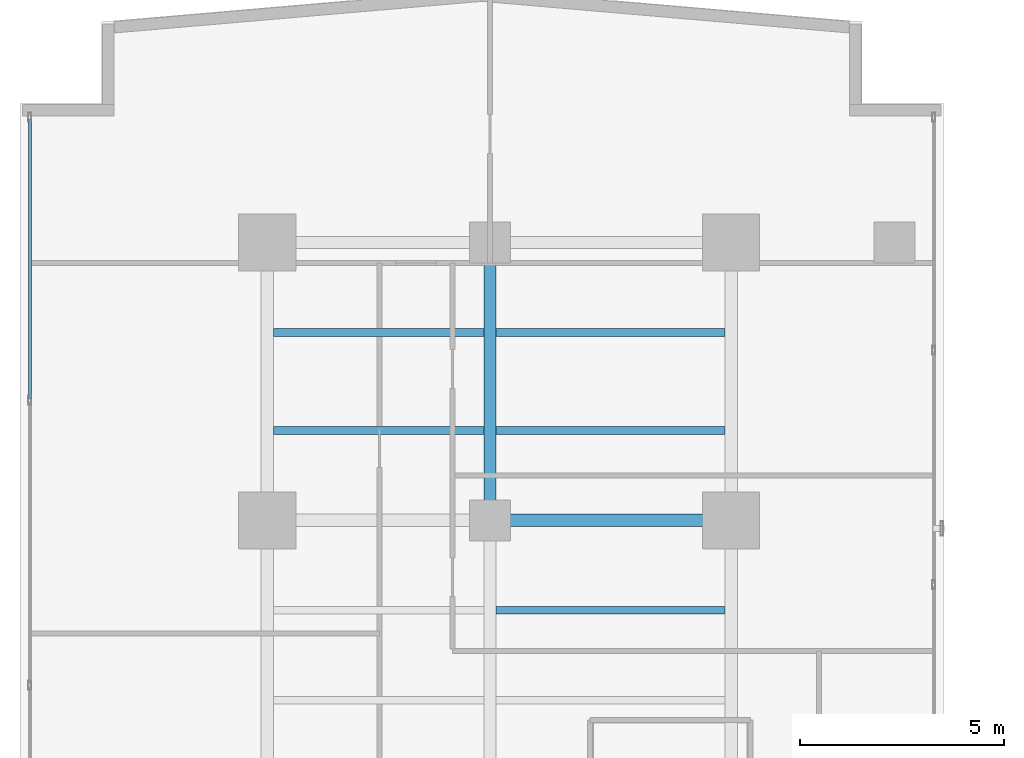
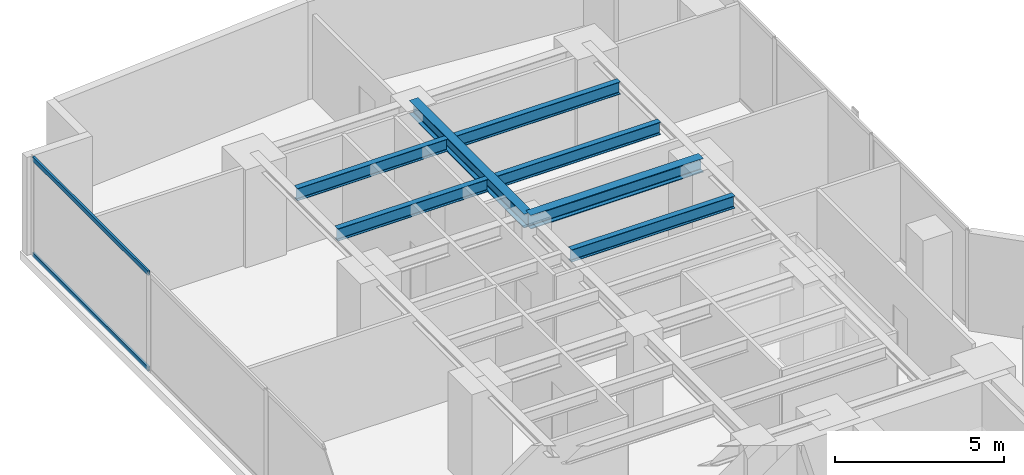
# One storey, part 15 of 26: 7 beams, 2 members, 1 element without a shape of its own.
"""IFC4 building model written with IfcOpenShell, lengths in metres."""

import ifcopenshell
import ifcopenshell.guid

model = None  # the IFC model being written
_history = None  # IfcOwnerHistory: only IFC2X3 demands one
_inside = {}  # id of a spatial element -> (the spatial element, [elements in it])
_under = {}  # id of a project, library or spatial element -> (it, [spatial elements below it])
_declared = {}  # id of a project -> (the project, [libraries it declares])
_typed = {}  # id of a type object -> (the type object, [elements of that type])
_made_of = {}  # id of a material, layer set ... -> (it, [elements and type objects made of it])


def new_model(schema):
    """Start an empty IFC model of exactly this schema.

    Asked for "IFC4X3", IfcOpenShell would pick the latest addendum, in which some entities
    have other attributes; the version numbers below select the first issue.
    IFC2X3 requires an IfcOwnerHistory on every rooted entity: one is made here for all.
    """
    global model, _history
    if schema == "IFC4X3":
        model = ifcopenshell.file(schema_version=(4, 3, 0, 0))
    else:
        model = ifcopenshell.file(schema=schema)
    _inside.clear()
    _under.clear()
    _declared.clear()
    _typed.clear()
    _made_of.clear()
    _history = None
    if model.schema == "IFC2X3":
        org = make("IfcOrganization", Name="unknown")
        user = make(
            "IfcPersonAndOrganization",
            ThePerson=make("IfcPerson", FamilyName="unknown"),
            TheOrganization=org,
        )
        app = make(
            "IfcApplication",
            ApplicationDeveloper=org,
            Version="unknown",
            ApplicationFullName="unknown",
            ApplicationIdentifier="unknown",
        )
        _history = make(
            "IfcOwnerHistory",
            OwningUser=user,
            OwningApplication=app,
            ChangeAction="ADDED",
            CreationDate=0,
        )
    return model


def make(cls, **values):
    """One entity of the class cls with the attributes given. An attribute that is None is left unset."""
    return model.create_entity(
        cls, **{name: value for name, value in values.items() if value is not None}
    )


def rooted(cls, **values):
    """An entity with a GlobalId (a new one), such as an element, a storey or a relation."""
    return make(cls, GlobalId=ifcopenshell.guid.new(), OwnerHistory=_history, **values)


def si_unit(unit_type, name, prefix=None):
    """IfcSIUnit, for example si_unit("LENGTHUNIT", "METRE", prefix="MILLI")."""
    return make("IfcSIUnit", UnitType=unit_type, Prefix=prefix, Name=name)


def assignment(units):
    """IfcUnitAssignment: the units of a project."""
    return None if units is None else make("IfcUnitAssignment", Units=units)


def point(xyz):
    """IfcCartesianPoint."""
    return None if xyz is None else make("IfcCartesianPoint", Coordinates=xyz)


def direction(xyz):
    """IfcDirection."""
    return None if xyz is None else make("IfcDirection", DirectionRatios=xyz)


def frame(location, z_axis=None, x_axis=None):
    """IfcAxis2Placement3D, a coordinate frame: its origin and axes. An axis left out is left unset."""
    return make(
        "IfcAxis2Placement3D",
        Location=point(location),
        Axis=direction(z_axis),
        RefDirection=direction(x_axis),
    )


def frame_2d(location, x_axis=None):
    """IfcAxis2Placement2D, a coordinate frame in the plane: its origin and x axis."""
    return make(
        "IfcAxis2Placement2D", Location=point(location), RefDirection=direction(x_axis)
    )


def origin():
    """The frame at (0, 0, 0) with its axes left unset."""
    return frame((0.0, 0.0, 0.0))


def origin_with_axes():
    """The frame at (0, 0, 0) with the z axis (0, 0, 1) and the x axis (1, 0, 0) written out."""
    return frame((0.0, 0.0, 0.0), z_axis=(0.0, 0.0, 1.0), x_axis=(1.0, 0.0, 0.0))


def origin_2d():
    """The frame at (0, 0) in the plane with its x axis left unset."""
    return frame_2d((0.0, 0.0))


def place(relative_to, where):
    """IfcLocalPlacement: puts the frame where relative to a parent placement (None: the world)."""
    return make(
        "IfcLocalPlacement", PlacementRelTo=relative_to, RelativePlacement=where
    )


def context(
    kind, dimensions, precision=None, world=None, true_north=None, identifier=None
):
    """IfcGeometricRepresentationContext, for example the 3D "Model" context."""
    return make(
        "IfcGeometricRepresentationContext",
        ContextIdentifier=identifier,
        ContextType=kind,
        CoordinateSpaceDimension=dimensions,
        Precision=precision,
        WorldCoordinateSystem=world,
        TrueNorth=true_north,
    )


def subcontext(parent, identifier, kind, view, scale=None):
    """IfcGeometricRepresentationSubContext, for example "Body" below "Model"."""
    return make(
        "IfcGeometricRepresentationSubContext",
        ContextIdentifier=identifier,
        ContextType=kind,
        ParentContext=parent,
        TargetScale=scale,
        TargetView=view,
    )


def project(units=None, contexts=None):
    """IfcProject with its units and contexts."""
    return rooted(
        "IfcProject",
        Name="project",
        RepresentationContexts=contexts,
        UnitsInContext=assignment(units),
    )


def spatial(cls, under=None, at=None, **own):
    """A site, building, storey or space (cls), placed at a placement, below another one or the project."""
    s = rooted(cls, ObjectPlacement=at, **own)
    if under is not None:
        _under.setdefault(under.id(), (under, []))[1].append(s)
    return s


def profile(cls, at=None, kind="AREA", **sizes):
    """A parametric profile (cls). Its sizes go by their IFC names, for example OverallWidth=200.0."""
    return make(cls, ProfileType=kind, Position=at, **sizes)


def hollow_rectangle(**sizes):
    """IfcRectangleHollowProfileDef."""
    return profile("IfcRectangleHollowProfileDef", **sizes)


def i_section(**sizes):
    """IfcIShapeProfileDef."""
    return profile("IfcIShapeProfileDef", **sizes)


def extrude(swept, where, along, depth):
    """IfcExtrudedAreaSolid: the profile swept, set in the frame where, extruded along a direction by depth."""
    return make(
        "IfcExtrudedAreaSolid",
        SweptArea=swept,
        Position=where,
        ExtrudedDirection=direction(along),
        Depth=depth,
    )


def shape(context_of_items, identifier, shape_type, items):
    """IfcShapeRepresentation: the items that make up one representation, for example the "Body"."""
    return make(
        "IfcShapeRepresentation",
        ContextOfItems=context_of_items,
        RepresentationIdentifier=identifier,
        RepresentationType=shape_type,
        Items=items,
    )


def source(mapping_origin, context_of_items, identifier, shape_type, items):
    """IfcRepresentationMap: a shape defined once, which mapped items show again and again."""
    return make(
        "IfcRepresentationMap",
        MappingOrigin=mapping_origin,
        MappedRepresentation=shape(context_of_items, identifier, shape_type, items),
    )


def transform(
    local_origin,
    x_axis=None,
    y_axis=None,
    z_axis=None,
    scale=None,
    scale2=None,
    scale3=None,
    uniform=True,
):
    """IfcCartesianTransformationOperator3D, or its non-uniform kind. x_axis, y_axis, z_axis: its Axis1, 2, 3."""
    if uniform:
        return make(
            "IfcCartesianTransformationOperator3D",
            Axis1=direction(x_axis),
            Axis2=direction(y_axis),
            LocalOrigin=point(local_origin),
            Scale=scale,
            Axis3=direction(z_axis),
        )
    return make(
        "IfcCartesianTransformationOperator3DnonUniform",
        Axis1=direction(x_axis),
        Axis2=direction(y_axis),
        LocalOrigin=point(local_origin),
        Scale=scale,
        Axis3=direction(z_axis),
        Scale2=scale2,
        Scale3=scale3,
    )


def mapped(mapping_source, mapping_target):
    """IfcMappedItem: shows the shape of a source again, moved by a transform."""
    return make(
        "IfcMappedItem", MappingSource=mapping_source, MappingTarget=mapping_target
    )


def material(Name=None, Category=None):
    """IfcMaterial."""
    return make("IfcMaterial", Name=Name, Category=Category)


def layer(
    of_material, thickness, ventilated=None, Name=None, Category=None, Priority=None
):
    """IfcMaterialLayer: one layer of a wall or slab, of a material (None: an air gap)."""
    return make(
        "IfcMaterialLayer",
        Material=of_material,
        LayerThickness=thickness,
        IsVentilated=ventilated,
        Name=Name,
        Category=Category,
        Priority=Priority,
    )


def layer_set(layers, Name=None):
    """IfcMaterialLayerSet."""
    return make("IfcMaterialLayerSet", MaterialLayers=layers, LayerSetName=Name)


def material_profile(
    of_material, cross_section, Name=None, Category=None, Priority=None
):
    """IfcMaterialProfile: a cross section and its material."""
    return make(
        "IfcMaterialProfile",
        Name=Name,
        Material=of_material,
        Profile=cross_section,
        Priority=Priority,
        Category=Category,
    )


def profile_set(profiles, Name=None, composite=None):
    """IfcMaterialProfileSet."""
    return make(
        "IfcMaterialProfileSet",
        Name=Name,
        MaterialProfiles=profiles,
        CompositeProfile=composite,
    )


def made_of(thing, what):
    """Note that an element or type object is made of a material, layer set ...; save() writes the relation."""
    if what is not None:
        _made_of.setdefault(what.id(), (what, []))[1].append(thing)
    return thing


def type_object(cls, material=None, **own):
    """A type object (cls), such as IfcWallType, which elements share."""
    return made_of(rooted(cls, **own), material)


def element(
    cls,
    number,
    at=None,
    inside=None,
    cuts=None,
    type_object=None,
    material=None,
    context=None,
    identifier="Body",
    shape_type=None,
    held_by="IfcProductDefinitionShape",
    body=None,
    shapes=None,
    **own,
):
    """One element of the class cls, such as IfcWall. Its Tag is "e" and its number.

    at: its placement. inside: the storey or other place that contains it. cuts: it is an
    opening in that element (IfcRelVoidsElement). A single representation is given by context,
    identifier, shape_type and body (its items); several are given by shapes. held_by: the class
    of the entity that holds the representations. save() writes the other relations.
    """
    e = rooted(cls, Tag="e%d" % number, ObjectPlacement=at, **own)
    if body is not None:
        shapes = [shape(context, identifier, shape_type, body)]
    if shapes is not None:
        e.Representation = make(held_by, Representations=shapes)
    if inside is not None:
        _inside.setdefault(inside.id(), (inside, []))[1].append(e)
    if cuts is not None:
        rooted(
            "IfcRelVoidsElement", RelatingBuildingElement=cuts, RelatedOpeningElement=e
        )
    if type_object is not None:
        _typed.setdefault(type_object.id(), (type_object, []))[1].append(e)
    return made_of(e, material)


def aggregate(whole, parts):
    """IfcRelAggregates: a whole, such as a stair, and the parts it consists of."""
    return rooted("IfcRelAggregates", RelatingObject=whole, RelatedObjects=parts)


def save(model, path):
    """Write the relations noted so far, then the file.

    IfcRelAggregates (storeys below a building ...), IfcRelContainedInSpatialStructure (elements
    in a storey), IfcRelDefinesByType, IfcRelAssociatesMaterial and IfcRelDeclares: one each for
    every whole, place, type object, material and project.
    """
    for whole, parts in _under.values():
        aggregate(whole, parts)
    for where, things in _inside.values():
        rooted(
            "IfcRelContainedInSpatialStructure",
            RelatedElements=things,
            RelatingStructure=where,
        )
    for kind, things in _typed.values():
        rooted("IfcRelDefinesByType", RelatedObjects=things, RelatingType=kind)
    for what, things in _made_of.values():
        rooted("IfcRelAssociatesMaterial", RelatedObjects=things, RelatingMaterial=what)
    for by, libraries in _declared.values():
        rooted("IfcRelDeclares", RelatingContext=by, RelatedDefinitions=libraries)
    model.write(path)


model = new_model("IFC4")

# Units and contexts
model_context = context("Model", 3, precision=1e-05, world=origin(), true_north=direction((0.0, 1.0)))
body_context = subcontext(model_context, "Body", "Model", "MODEL_VIEW")
ifc_project = project(units=[si_unit("LENGTHUNIT", "METRE"), si_unit("AREAUNIT", "SQUARE_METRE"), si_unit("VOLUMEUNIT", "CUBIC_METRE"), si_unit("PLANEANGLEUNIT", "RADIAN"), si_unit("MASSUNIT", "GRAM", prefix="KILO")], contexts=[model_context])

# Site, building, storey
site_placement = place(None, origin())
site = spatial("IfcSite", under=ifc_project, at=site_placement, CompositionType="ELEMENT")
building_placement = place(site_placement, origin())
building = spatial("IfcBuilding", under=site, at=building_placement, Name="Kolvaren Waterfront Exchange", CompositionType="ELEMENT")
storey_placement = place(building_placement, frame((0.0, 0.0, 110.699951171875)))
storey = spatial("IfcBuildingStorey", under=building, at=storey_placement, Name="L28", CompositionType="ELEMENT", Elevation=110.699951171875)

# Beams
ifc_material_1 = material(Name="Steel S355", Category="steel")
ifc_material_profile_1 = material_profile(ifc_material_1, i_section(OverallWidth=0.300048828125, OverallDepth=0.5, WebThickness=0.014404296875, FlangeThickness=0.028076171875, FilletRadius=0.027099609375, at=origin_2d()), Name="HEB500")
ifc_profile_set_1 = profile_set([ifc_material_profile_1], Name="Steel S355")
beam_type_1 = type_object("IfcBeamType", Name="STR-BM-HEB500", PredefinedType="BEAM", material=ifc_profile_set_1)
beam_1_placement = place(storey_placement, frame((12.89990234375, 37.800048828125, 3.2900390625), z_axis=(1.0, 0.0, 0.0), x_axis=(0.0, 1.0, 0.0)))
element("IfcBeam", 1, at=beam_1_placement, inside=storey, type_object=beam_type_1, Name="L28 north-arm girder 3B", PredefinedType="BEAM", context=body_context, shape_type="SweptSolid", body=[
    extrude(i_section(OverallWidth=0.300048828125, OverallDepth=0.5, WebThickness=0.014404296875, FlangeThickness=0.028076171875, FilletRadius=0.027099609375, at=origin_2d()), origin(), (0.0, 0.0, 1.0), 5.900146484375),
])
beam_2_placement = place(storey_placement, frame((12.89990234375, 37.800048828125, 3.2900390625), z_axis=(0.0, 1.0, 0.0), x_axis=(-1.0, 0.0, 0.0)))
element("IfcBeam", 2, at=beam_2_placement, inside=storey, type_object=beam_type_1, Name="L28 north-arm edge beam 3", PredefinedType="BEAM", context=body_context, shape_type="SweptSolid", body=[
    extrude(i_section(OverallWidth=0.300048828125, OverallDepth=0.5, WebThickness=0.014404296875, FlangeThickness=0.028076171875, FilletRadius=0.027099609375, at=origin_2d()), origin(), (0.0, 0.0, 1.0), 6.800048828125),
])
ifc_material_profile_2 = material_profile(ifc_material_1, i_section(OverallWidth=0.18994140625, OverallDepth=0.449951171875, WebThickness=0.009521484375, FlangeThickness=0.0146484375, FilletRadius=0.02099609375, at=origin_2d()), Name="IPE450")
ifc_profile_set_2 = profile_set([ifc_material_profile_2], Name="Steel S355")
beam_type_2 = type_object("IfcBeamType", Name="STR-BM-IPE450", PredefinedType="JOIST", material=ifc_profile_set_2)
beam_3_placement = place(storey_placement, frame((13.052001953125, 35.60009765625, 3.31494140625), z_axis=(1.0, 0.0, 0.0), x_axis=(0.0, 1.0, 0.0)))
element("IfcBeam", 3, at=beam_3_placement, inside=storey, type_object=beam_type_2, Name="L28 north-arm composite joist 4B", PredefinedType="JOIST", context=body_context, shape_type="SweptSolid", body=[
    extrude(i_section(OverallWidth=0.18994140625, OverallDepth=0.449951171875, WebThickness=0.009521484375, FlangeThickness=0.0146484375, FilletRadius=0.02099609375, at=origin_2d()), origin(), (0.0, 0.0, 1.0), 5.595947265625),
])
beam_4_placement = place(storey_placement, frame((7.60205078125, 40.0, 3.31494140625), z_axis=(1.0, 0.0, 0.0), x_axis=(0.0, 1.0, 0.0)))
element("IfcBeam", 4, at=beam_4_placement, inside=storey, type_object=beam_type_2, Name="L28 north-arm composite joist 5A", PredefinedType="JOIST", context=body_context, shape_type="SweptSolid", body=[
    extrude(i_section(OverallWidth=0.18994140625, OverallDepth=0.449951171875, WebThickness=0.009521484375, FlangeThickness=0.0146484375, FilletRadius=0.02099609375, at=origin_2d()), origin(), (0.0, 0.0, 1.0), 5.14599609375),
])
beam_5_placement = place(storey_placement, frame((13.052001953125, 40.0, 3.31494140625), z_axis=(1.0, 0.0, 0.0), x_axis=(0.0, 1.0, 0.0)))
element("IfcBeam", 5, at=beam_5_placement, inside=storey, type_object=beam_type_2, Name="L28 north-arm composite joist 5B", PredefinedType="JOIST", context=body_context, shape_type="SweptSolid", body=[
    extrude(i_section(OverallWidth=0.18994140625, OverallDepth=0.449951171875, WebThickness=0.009521484375, FlangeThickness=0.0146484375, FilletRadius=0.02099609375, at=origin_2d()), origin(), (0.0, 0.0, 1.0), 5.595947265625),
])
beam_6_placement = place(storey_placement, frame((7.60205078125, 42.39990234375, 3.31494140625), z_axis=(1.0, 0.0, 0.0), x_axis=(0.0, 1.0, 0.0)))
element("IfcBeam", 6, at=beam_6_placement, inside=storey, type_object=beam_type_2, Name="L28 north-arm composite joist 6A", PredefinedType="JOIST", context=body_context, shape_type="SweptSolid", body=[
    extrude(i_section(OverallWidth=0.18994140625, OverallDepth=0.449951171875, WebThickness=0.009521484375, FlangeThickness=0.0146484375, FilletRadius=0.02099609375, at=origin_2d()), origin(), (0.0, 0.0, 1.0), 5.14599609375),
])
beam_7_placement = place(storey_placement, frame((13.052001953125, 42.39990234375, 3.31494140625), z_axis=(1.0, 0.0, 0.0), x_axis=(0.0, 1.0, 0.0)))
element("IfcBeam", 7, at=beam_7_placement, inside=storey, type_object=beam_type_2, Name="L28 north-arm composite joist 6B", PredefinedType="JOIST", context=body_context, shape_type="SweptSolid", body=[
    extrude(i_section(OverallWidth=0.18994140625, OverallDepth=0.449951171875, WebThickness=0.009521484375, FlangeThickness=0.0146484375, FilletRadius=0.02099609375, at=origin_2d()), origin(), (0.0, 0.0, 1.0), 5.595947265625),
])

# Curtain wall, members
ifc_material_2 = material(Name="Anodised aluminium 6063-T6", Category="aluminium")
ifc_layer = layer(ifc_material_2, 0.219970703125, Name="Anodised aluminium 6063-T6")
ifc_layer_set = layer_set([ifc_layer], Name="Anodised aluminium 6063-T6")
curtain_wall_type = type_object("IfcCurtainWallType", Name="ARC-CW-SYS2", PredefinedType="USERDEFINED", material=ifc_layer_set)
curtain_wall_placement = place(storey_placement, origin())
curtain_wall = element("IfcCurtainWall", 8, at=curtain_wall_placement, inside=storey, type_object=curtain_wall_type, Name="L28 stick curtain wall CW2 (CW-L28-W)", ObjectType="STICK CURTAIN WALL", PredefinedType="USERDEFINED")
ifc_material_profile_3 = material_profile(ifc_material_2, hollow_rectangle(XDim=0.074951171875, YDim=0.159912109375, WallThickness=0.00439453125, at=origin_2d()), Name="ALU-TRN-160x75x4.5")
ifc_profile_set_3 = profile_set([ifc_material_profile_3], Name="Anodised aluminium 6063-T6")
member_type = type_object("IfcMemberType", Name="ARC-CWT-160", PredefinedType="USERDEFINED", material=ifc_profile_set_3)
shared_shape = source(origin_with_axes(), body_context, "Body", "SweptSolid", [
    extrude(hollow_rectangle(XDim=0.074951171875, YDim=0.159912109375, WallThickness=0.00439453125, at=origin_2d()), origin(), (0.0, 0.0, 1.0), 6.8466796875),
])
member_1_placement = place(storey_placement, frame((1.639892578125, 40.7734375, 0.03759765625), z_axis=(0.0, 1.0, 0.0), x_axis=(-1.0, 0.0, 0.0)))
member_1 = element("IfcMember", 9, at=member_1_placement, type_object=member_type, Name="CW2 transom 6.1", ObjectType="TRANSOM", PredefinedType="USERDEFINED", context=body_context, shape_type="MappedRepresentation", body=[
    mapped(shared_shape, transform((0.0, 0.0, 0.0), x_axis=(1.0, 0.0, 0.0), y_axis=(0.0, 1.0, 0.0), z_axis=(0.0, 0.0, 1.0), scale=1.0)),
])
member_2_placement = place(storey_placement, frame((1.639892578125, 40.7734375, 3.50244140625), z_axis=(0.0, 1.0, 0.0), x_axis=(-1.0, 0.0, 0.0)))
member_2 = element("IfcMember", 10, at=member_2_placement, type_object=member_type, Name="CW2 transom 6.2", ObjectType="TRANSOM", PredefinedType="USERDEFINED", context=body_context, shape_type="MappedRepresentation", body=[
    mapped(shared_shape, transform((0.0, 0.0, 0.0), x_axis=(1.0, 0.0, 0.0), y_axis=(0.0, 1.0, 0.0), z_axis=(0.0, 0.0, 1.0), scale=1.0)),
])
aggregate(curtain_wall, [member_1, member_2])

save(model, "model.ifc")
